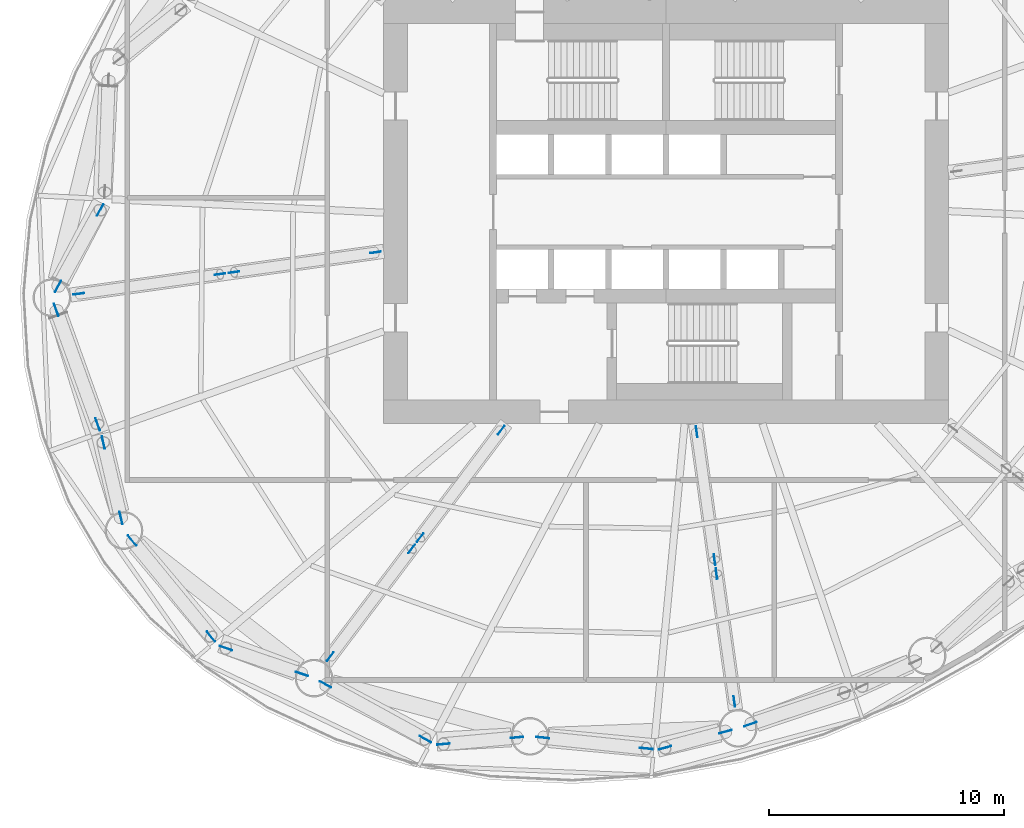
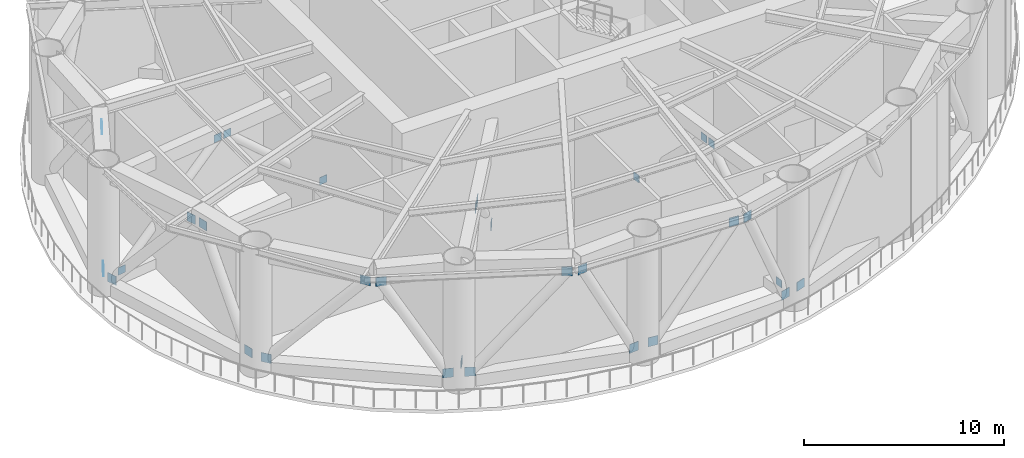
# One storey, part 8 of 15: 31 discrete accessories.
"""IFC4 building model written with IfcOpenShell, lengths in metres."""

from ifc_helpers import new_model, si_unit, direction, frame, origin, origin_2d, place, context, subcontext, project, spatial, rectangle, extrude, element, save


model = new_model("IFC4")

# Units and contexts
model_context = context("Model", 3, precision=1e-05, world=origin(), true_north=direction((0.0, 1.0)))
body_context = subcontext(model_context, "Body", "Model", "MODEL_VIEW")
ifc_project = project(units=[si_unit("LENGTHUNIT", "METRE"), si_unit("AREAUNIT", "SQUARE_METRE"), si_unit("VOLUMEUNIT", "CUBIC_METRE"), si_unit("PLANEANGLEUNIT", "RADIAN"), si_unit("MASSUNIT", "GRAM", prefix="KILO")], contexts=[model_context])

# Site, building, storey
site_placement = place(None, origin())
site = spatial("IfcSite", under=ifc_project, at=site_placement, CompositionType="ELEMENT")
building_placement = place(site_placement, origin())
building = spatial("IfcBuilding", under=site, at=building_placement, Name="Vermilion Reach Broadcast Tower", CompositionType="ELEMENT")
storey_placement = place(building_placement, frame((0.0, 0.0, 135.39990234375)))
storey = spatial("IfcBuildingStorey", under=building, at=storey_placement, Name="L32", CompositionType="ELEMENT", Elevation=135.39990234375)

# Discrete accessories
for number, where, z_axis, x_axis, name in (
    (1, (-31.84326171875, -3.16455078125, 0.52490234375), (0.0, 0.0, 1.0), (-0.875632505237, 0.482977966135, 0.0), "Gusset plate BT2-D07B foot"),
    (2, (-30.055908203125, 0.075927734375, 6.56494140625), (0.0, 0.0, 1.0), (-0.875632505237, 0.482977966135, 0.0), "Gusset plate BT2-D07B head"),
    (3, (-31.921630859375, -4.163330078125, 0.52490234375), (0.0, 0.0, 1.0), (0.940315051773, 0.340305162185, 0.0), "Gusset plate BT2-D08A foot"),
    (4, (-30.15869140625, -9.034423828125, 6.56494140625), (0.0, 0.0, 1.0), (0.940315051773, 0.340305162185, 0.0), "Gusset plate BT2-D08A head"),
    (5, (-29.1689453125, -13.010986328125, 0.52490234375), (0.0, 0.0, 1.0), (-0.97359685308, -0.228274325479, 0.0), "Gusset plate BT2-D08B foot"),
    (6, (-29.922119140625, -9.798583984375, 6.56494140625), (0.0, 0.0, 1.0), (-0.97359685308, -0.228274325479, 0.0), "Gusset plate BT2-D08B head"),
    (7, (-28.694580078125, -13.9716796875, 0.52490234375), (0.0, 0.0, 1.0), (0.773036463525, 0.634361589365, 0.0), "Gusset plate BT2-D09A foot"),
    (8, (-25.341796875, -18.057373046875, 6.56494140625), (0.0, 0.0, 1.0), (0.773036463525, 0.634361589365, 0.0), "Gusset plate BT2-D09A head"),
    (9, (-21.484130859375, -19.64404296875, 0.52490234375), (0.0, 0.0, 1.0), (-0.321740426332, -0.946827913648, 0.0), "Gusset plate BT2-D09B foot"),
    (10, (-24.7099609375, -18.548095703125, 6.56494140625), (0.0, 0.0, 1.0), (-0.321740426332, -0.946827913648, 0.0), "Gusset plate BT2-D09B head"),
    (11, (-20.4814453125, -20.0859375, 0.52490234375), (0.0, 0.0, 1.0), (0.481393987687, 0.876504323218, 0.0), "Gusset plate BT2-D10A foot"),
    (12, (-16.2314453125, -22.419921875, 6.56494140625), (0.0, 0.0, 1.0), (0.481393987687, 0.876504323218, 0.0), "Gusset plate BT2-D10A head"),
    (13, (-12.334228515625, -22.34423828125, 0.52490234375), (0.0, 0.0, 1.0), (0.09048612768, -0.995897715982, 0.0), "Gusset plate BT2-D10B foot"),
    (14, (-15.458984375, -22.628173828125, 6.56494140625), (0.0, 0.0, 1.0), (0.09048612768, -0.995897715982, 0.0), "Gusset plate BT2-D10B head"),
    (15, (-11.239501953125, -22.35205078125, 0.52490234375), (0.0, 0.0, 1.0), (0.104727179625, 0.994500989365, 0.0), "Gusset plate BT2-D11A foot"),
    (16, (-6.841552734375, -22.815185546875, 6.56494140625), (0.0, 0.0, 1.0), (0.104727179625, 0.994500989365, 0.0), "Gusset plate BT2-D11A head"),
    (17, (-3.46533203125, -22.097412109375, 0.52490234375), (0.0, 0.0, 1.0), (0.257689553871, -0.966227764984, 0.0), "Gusset plate BT2-D11B foot"),
    (18, (-6.0419921875, -22.78466796875, 6.56494140625), (0.0, 0.0, 1.0), (0.257689553871, -0.966227764984, 0.0), "Gusset plate BT2-D11B head"),
    (19, (-2.412353515625, -21.781005859375, 0.52490234375), (0.0, 0.0, 1.0), (-0.317744603637, 0.948176337429, 0.0), "Gusset plate BT2-D12A foot"),
):
    element("IfcDiscreteAccessory", number, at=place(storey_placement, frame(where, z_axis=z_axis, x_axis=x_axis)), inside=storey, Name=name, PredefinedType="NOTDEFINED", context=body_context, shape_type="SweptSolid", body=[
        extrude(rectangle(XDim=0.02490234375, YDim=0.550048828125, at=origin_2d()), origin(), (0.0, 0.0, 1.0), 0.550048828125),
    ])
for number, where, z_axis, x_axis, name in (
    (20, (-18.3466796875, -1.72412109375, 0.37158203125), (0.0, 0.0, 1.0), (0.138308891754, -0.990389140925, 0.0), "Gusset plate OR2-08-DA foot"),
    (21, (-24.361083984375, -2.564208984375, 5.821533203125), (0.0, 0.0, 1.0), (0.138308891754, -0.990389140925, 0.0), "Gusset plate OR2-08-DA head"),
    (22, (-30.969970703125, -3.487060546875, 0.37158203125), (0.0, 0.0, 1.0), (0.138308891754, -0.990389140925, 0.0), "Gusset plate OR2-08-DB foot"),
    (23, (-24.955322265625, -2.647216796875, 5.821533203125), (0.0, 0.0, 1.0), (0.138308891754, -0.990389140925, 0.0), "Gusset plate OR2-08-DB head"),
    (24, (-13.005126953125, -9.279296875, 0.37158203125), (0.0, 0.0, 1.0), (0.798110018854, -0.602511740802, 0.0), "Gusset plate OR2-10-DA foot"),
    (25, (-16.45703125, -13.851806640625, 5.821533203125), (0.0, 0.0, 1.0), (0.798110018854, -0.602511740802, 0.0), "Gusset plate OR2-10-DA head"),
    (26, (-20.2705078125, -18.9033203125, 0.37158203125), (0.0, 0.0, 1.0), (0.798110018854, -0.602511740802, 0.0), "Gusset plate OR2-10-DB foot"),
    (27, (-16.818603515625, -14.330810546875, 5.821533203125), (0.0, 0.0, 1.0), (0.798110018854, -0.602511740802, 0.0), "Gusset plate OR2-10-DB head"),
    (28, (-4.69482421875, -9.3466796875, 0.37158203125), (0.0, 0.0, 1.0), (0.990389140922, 0.138308891772, 0.0), "Gusset plate OR2-12-DA foot"),
    (29, (-3.935302734375, -14.78466796875, 5.821533203125), (0.0, 0.0, 1.0), (0.990389140922, 0.138308891772, 0.0), "Gusset plate OR2-12-DA head"),
    (30, (-3.093017578125, -20.816650390625, 0.37158203125), (0.0, 0.0, 1.0), (0.990389140922, 0.138308891772, 0.0), "Gusset plate OR2-12-DB foot"),
    (31, (-3.852294921875, -15.37890625, 5.821533203125), (0.0, 0.0, 1.0), (0.990389140922, 0.138308891772, 0.0), "Gusset plate OR2-12-DB head"),
):
    element("IfcDiscreteAccessory", number, at=place(storey_placement, frame(where, z_axis=z_axis, x_axis=x_axis)), inside=storey, Name=name, PredefinedType="NOTDEFINED", context=body_context, shape_type="SweptSolid", body=[
        extrude(rectangle(XDim=0.02490234375, YDim=0.45703125, at=origin_2d()), origin(), (0.0, 0.0, 1.0), 0.45703125),
    ])

save(model, "model.ifc")
